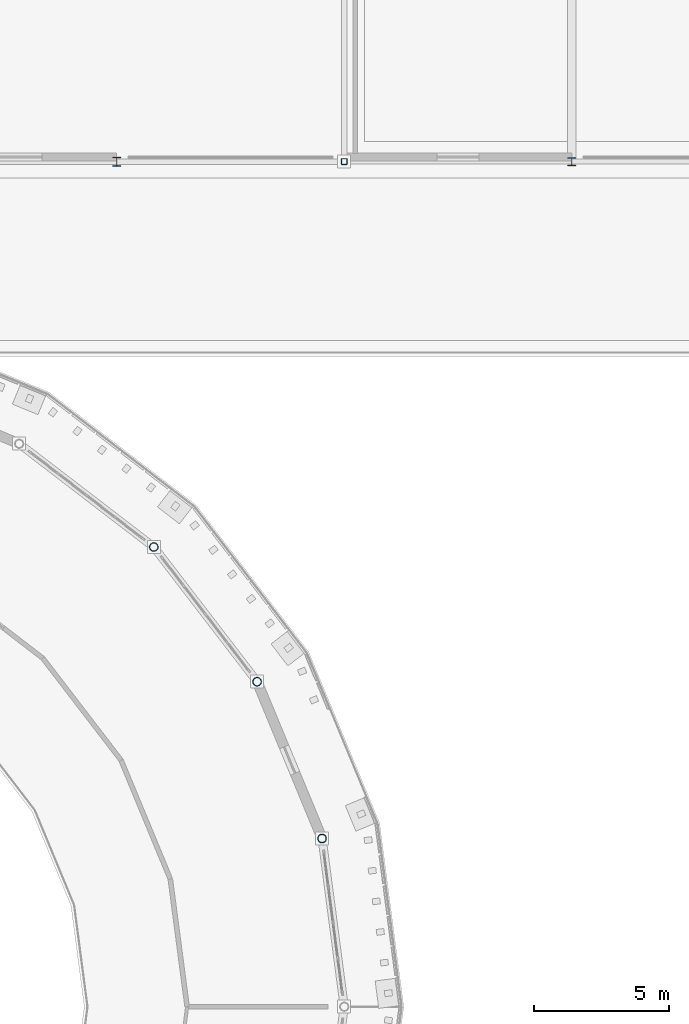
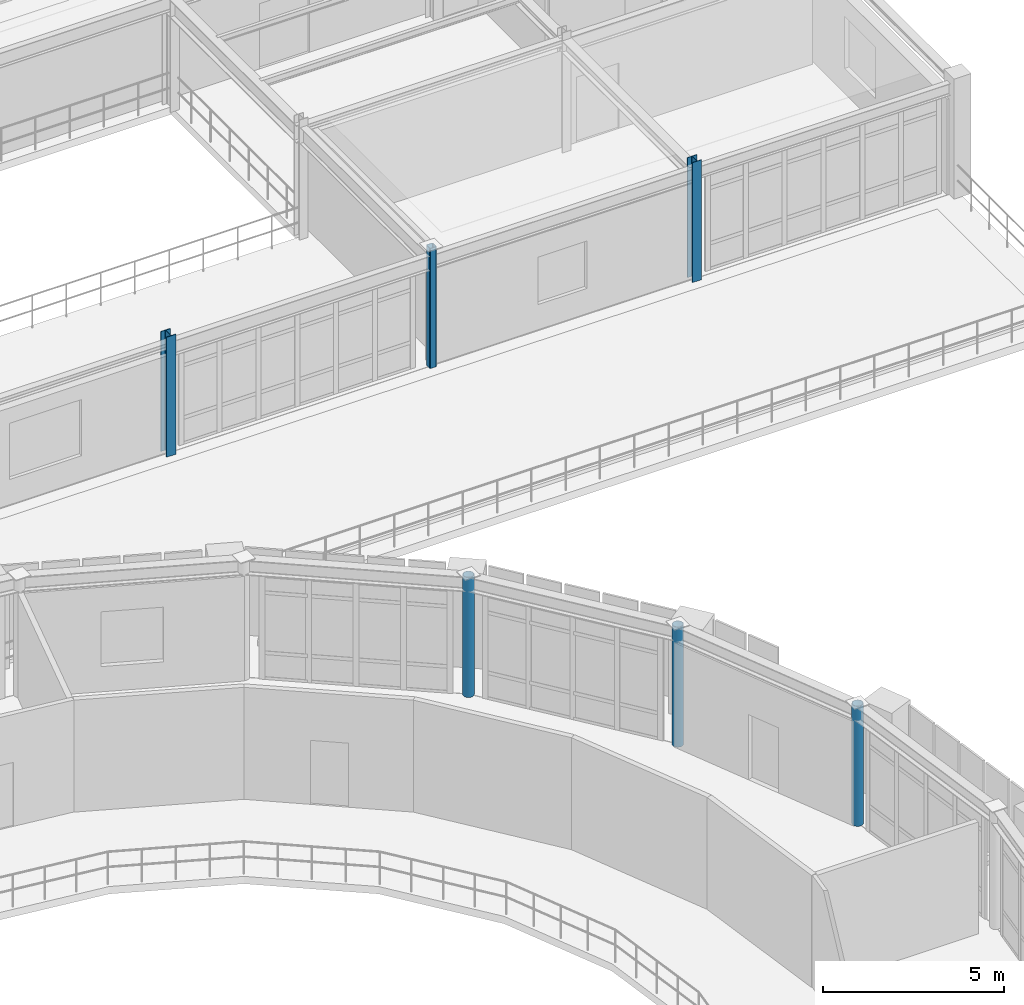
# One storey, part 8 of 58: 6 columns.
"""IFC4 building model written with IfcOpenShell, lengths in metres."""

from ifc_helpers import new_model, si_unit, derived_unit, direction, frame, origin, origin_2d, place, context, subcontext, project, spatial, hollow_rectangle, hollow_circle, i_section, extrude, material, material_profile, profile_set, type_object, element, save


model = new_model("IFC4")

# Units and contexts
model_context = context("Model", 3, precision=1e-05, world=origin(), true_north=direction((0.0, 1.0)))
body_context = subcontext(model_context, "Body", "Model", "MODEL_VIEW")
ifc_project = project(units=[si_unit("LENGTHUNIT", "METRE"), si_unit("AREAUNIT", "SQUARE_METRE"), si_unit("VOLUMEUNIT", "CUBIC_METRE"), si_unit("PLANEANGLEUNIT", "RADIAN"), si_unit("MASSUNIT", "GRAM", prefix="KILO"), derived_unit("THERMALTRANSMITTANCEUNIT", [(si_unit("POWERUNIT", "WATT"), 1), (si_unit("AREAUNIT", "SQUARE_METRE"), -1), (si_unit("THERMODYNAMICTEMPERATUREUNIT", "KELVIN"), -1)])], contexts=[model_context])

# Site, building, storey
site_placement = place(None, origin())
site = spatial("IfcSite", under=ifc_project, at=site_placement, CompositionType="ELEMENT")
building_placement = place(site_placement, origin())
building = spatial("IfcBuilding", under=site, at=building_placement, Name="Yasenodar Specialist Clinic", CompositionType="ELEMENT")
storey_placement = place(building_placement, frame((0.0, 0.0, 17.25)))
storey = spatial("IfcBuildingStorey", under=building, at=storey_placement, Name="L04", CompositionType="ELEMENT", Elevation=17.25)

# Columns
ifc_material = material(Name="Steel S355", Category="steel")
ifc_material_profile_1 = material_profile(ifc_material, hollow_circle(Radius=0.161865234375, WallThickness=0.01611328125, at=origin_2d()), Name="CHS 323.9x16")
ifc_profile_set_1 = profile_set([ifc_material_profile_1], Name="Steel S355")
column_type_1 = type_object("IfcColumnType", Name="COL-ST-CHS324", PredefinedType="COLUMN", material=ifc_profile_set_1)
for number, where, z_axis, x_axis, name in (
    (1, (104.18212890625, 65.01171875, 0.0), (0.0, 0.0, 1.0), (1.0, 0.0, 0.0), "L04 Drum V1 Outer Column 02"),
    (2, (101.78466796875, 70.800048828125, 0.0), (0.0, 0.0, 1.0), (1.0, 0.0, 0.0), "L04 Drum V1 Outer Column 03"),
    (3, (97.970703125, 75.7705078125, 0.0), (0.0, 0.0, 1.0), (1.0, 0.0, 0.0), "L04 Drum V1 Outer Column 04"),
):
    element("IfcColumn", number, at=place(storey_placement, frame(where, z_axis=z_axis, x_axis=x_axis)), inside=storey, type_object=column_type_1, Name=name, PredefinedType="COLUMN", context=body_context, shape_type="SweptSolid", body=[
        extrude(hollow_circle(Radius=0.161865234375, WallThickness=0.01611328125, at=origin_2d()), origin(), (0.0, 0.0, 1.0), 4.050048828125),
    ])
ifc_material_profile_2 = material_profile(ifc_material, i_section(OverallWidth=0.300048828125, OverallDepth=0.2900390625, WebThickness=0.008544921875, FlangeThickness=0.013916015625, FilletRadius=0.027099609375, at=origin_2d()), Name="HEA 300")
ifc_profile_set_2 = profile_set([ifc_material_profile_2], Name="Steel S355")
column_type_2 = type_object("IfcColumnType", Name="COL-ST-HEA300", PredefinedType="COLUMN", material=ifc_profile_set_2)
column_1_placement = place(storey_placement, frame((113.39990234375, 90.0, 0.0), z_axis=(0.0, 0.0, 1.0), x_axis=(1.0, 0.0, 0.0)))
element("IfcColumn", 4, at=column_1_placement, inside=storey, type_object=column_type_2, Name="L04 Column V5-133", PredefinedType="COLUMN", context=body_context, shape_type="SweptSolid", body=[
    extrude(i_section(OverallWidth=0.300048828125, OverallDepth=0.2900390625, WebThickness=0.008544921875, FlangeThickness=0.013916015625, FilletRadius=0.027099609375, at=origin_2d()), origin(), (0.0, 0.0, 1.0), 4.050048828125),
])
ifc_material_profile_3 = material_profile(ifc_material, i_section(OverallWidth=0.300048828125, OverallDepth=0.330078125, WebThickness=0.009521484375, FlangeThickness=0.0166015625, FilletRadius=0.027099609375, at=origin_2d()), Name="HEA 340")
ifc_profile_set_3 = profile_set([ifc_material_profile_3], Name="Steel S355")
column_type_3 = type_object("IfcColumnType", Name="COL-ST-HEA340", PredefinedType="COLUMN", material=ifc_profile_set_3)
column_2_placement = place(storey_placement, frame((96.60009765625, 90.0, 0.0), z_axis=(0.0, 0.0, 1.0), x_axis=(1.0, 0.0, 0.0)))
element("IfcColumn", 5, at=column_2_placement, inside=storey, type_object=column_type_3, Name="L04 Column V5-114", PredefinedType="COLUMN", context=body_context, shape_type="SweptSolid", body=[
    extrude(i_section(OverallWidth=0.300048828125, OverallDepth=0.330078125, WebThickness=0.009521484375, FlangeThickness=0.0166015625, FilletRadius=0.027099609375, at=origin_2d()), origin(), (0.0, 0.0, 1.0), 4.050048828125),
])
ifc_material_profile_4 = material_profile(ifc_material, hollow_rectangle(XDim=0.219970703125, YDim=0.219970703125, WallThickness=0.012451171875, InnerFilletRadius=0.018798828125, OuterFilletRadius=0.03125, at=origin_2d()), Name="SHS 220x220x12.5")
ifc_profile_set_4 = profile_set([ifc_material_profile_4], Name="Steel S355")
column_type_4 = type_object("IfcColumnType", Name="COL-ST-SHS220", PredefinedType="COLUMN", material=ifc_profile_set_4)
column_3_placement = place(storey_placement, frame((105.0, 90.0, 0.0), z_axis=(0.0, 0.0, 1.0), x_axis=(1.0, 0.0, 0.0)))
element("IfcColumn", 6, at=column_3_placement, inside=storey, type_object=column_type_4, Name="L04 Column V5-123", PredefinedType="COLUMN", context=body_context, shape_type="SweptSolid", body=[
    extrude(hollow_rectangle(XDim=0.219970703125, YDim=0.219970703125, WallThickness=0.012451171875, InnerFilletRadius=0.018798828125, OuterFilletRadius=0.03125, at=origin_2d()), origin(), (0.0, 0.0, 1.0), 4.050048828125),
])

save(model, "model.ifc")
